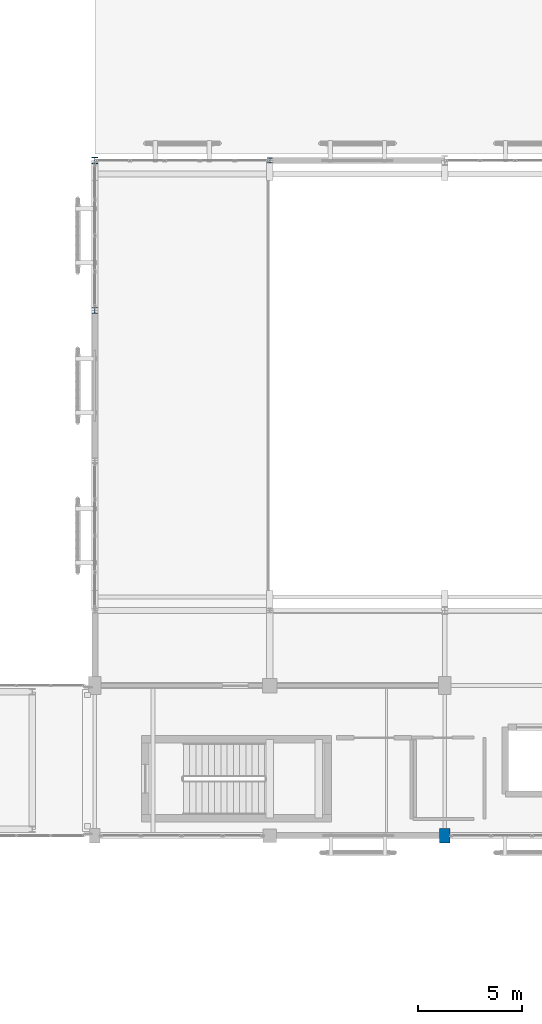
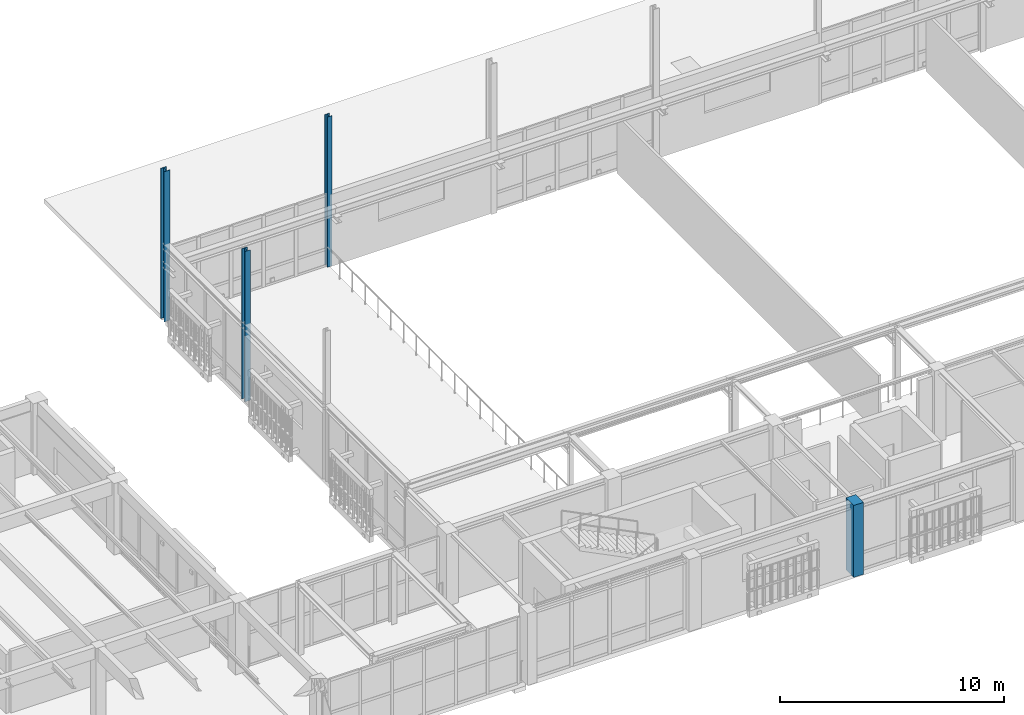
# One storey, part 11 of 170: 4 columns.
"""IFC4 building model written with IfcOpenShell, lengths in metres."""

from ifc_helpers import new_model, si_unit, direction, frame, origin, origin_2d, place, context, subcontext, project, spatial, rectangle, i_section, extrude, material, material_profile, profile_set, type_object, element, save


model = new_model("IFC4")

# Units and contexts
model_context = context("Model", 3, precision=1e-05, world=origin(), true_north=direction((0.0, 1.0)))
body_context = subcontext(model_context, "Body", "Model", "MODEL_VIEW")
ifc_project = project(units=[si_unit("LENGTHUNIT", "METRE"), si_unit("AREAUNIT", "SQUARE_METRE"), si_unit("VOLUMEUNIT", "CUBIC_METRE"), si_unit("PLANEANGLEUNIT", "RADIAN"), si_unit("MASSUNIT", "GRAM", prefix="KILO")], contexts=[model_context])

# Site, building, storey
site_placement = place(None, origin())
site = spatial("IfcSite", under=ifc_project, at=site_placement, CompositionType="ELEMENT")
building_placement = place(site_placement, origin())
building = spatial("IfcBuilding", under=site, at=building_placement, Name="Mazaris Harbour Polytechnic", CompositionType="ELEMENT")
storey_placement = place(building_placement, frame((0.0, 0.0, 5.39990234375)))
storey = spatial("IfcBuildingStorey", under=building, at=storey_placement, Name="L01", CompositionType="ELEMENT", Elevation=5.39990234375)

# Columns
ifc_material_1 = material(Name="Concrete C40/50", Category="concrete")
ifc_material_profile_1 = material_profile(ifc_material_1, rectangle(XDim=0.5, YDim=0.699951171875, at=origin_2d()), Name="RECT500x700")
ifc_profile_set_1 = profile_set([ifc_material_profile_1], Name="Concrete C40/50")
column_type_1 = type_object("IfcColumnType", Name="RC Column 500x700 Exterior", PredefinedType="COLUMN", material=ifc_profile_set_1)
column_1_placement = place(storey_placement, frame((70.800048828125, 75.60009765625, 0.0), z_axis=(0.0, 0.0, 1.0), x_axis=(1.0, 0.0, 0.0)))
element("IfcColumn", 1, at=column_1_placement, inside=storey, type_object=column_type_1, Name="V1 L01 Column 127", PredefinedType="COLUMN", context=body_context, shape_type="SweptSolid", body=[
    extrude(rectangle(XDim=0.5, YDim=0.699951171875, at=origin_2d()), origin(), (0.0, 0.0, 1.0), 3.920166015625),
])
ifc_material_2 = material(Name="Steel S355", Category="steel")
ifc_material_profile_2 = material_profile(ifc_material_2, i_section(OverallWidth=0.239990234375, OverallDepth=0.239990234375, WebThickness=0.010009765625, FlangeThickness=0.01708984375, FilletRadius=0.02099609375, at=origin_2d()), Name="HEB 240")
ifc_profile_set_2 = profile_set([ifc_material_profile_2], Name="Steel S355")
column_type_2 = type_object("IfcColumnType", Name="Steel Column HEB240", PredefinedType="COLUMN", material=ifc_profile_set_2)
column_2_placement = place(storey_placement, frame((62.39990234375, 108.0, 0.0), z_axis=(0.0, 0.0, 1.0), x_axis=(1.0, 0.0, 0.0)))
element("IfcColumn", 2, at=column_2_placement, inside=storey, type_object=column_type_2, Name="V1 L01 Column 126", PredefinedType="COLUMN", context=body_context, shape_type="SweptSolid", body=[
    extrude(i_section(OverallWidth=0.239990234375, OverallDepth=0.239990234375, WebThickness=0.010009765625, FlangeThickness=0.01708984375, FilletRadius=0.02099609375, at=origin_2d()), origin(), (0.0, 0.0, 1.0), 8.18017578125),
])
ifc_material_3 = material(Name="Steel S355", Category="steel")
ifc_material_profile_3 = material_profile(ifc_material_3, i_section(OverallWidth=0.280029296875, OverallDepth=0.280029296875, WebThickness=0.010498046875, FlangeThickness=0.01806640625, FilletRadius=0.02392578125, at=origin_2d()), Name="HEB 280")
ifc_profile_set_3 = profile_set([ifc_material_profile_3], Name="Steel S355")
column_type_3 = type_object("IfcColumnType", Name="Steel Column HEB280 Exterior", PredefinedType="COLUMN", material=ifc_profile_set_3)
column_3_placement = place(storey_placement, frame((54.0, 100.800048828125, 0.0), z_axis=(0.0, 0.0, 1.0), x_axis=(1.0, 0.0, 0.0)))
element("IfcColumn", 3, at=column_3_placement, inside=storey, type_object=column_type_3, Name="V1 L01 Column 121", PredefinedType="COLUMN", context=body_context, shape_type="SweptSolid", body=[
    extrude(i_section(OverallWidth=0.280029296875, OverallDepth=0.280029296875, WebThickness=0.010498046875, FlangeThickness=0.01806640625, FilletRadius=0.02392578125, at=origin_2d()), origin(), (0.0, 0.0, 1.0), 8.18017578125),
])
ifc_material_4 = material(Name="Steel S355", Category="steel")
ifc_material_profile_4 = material_profile(ifc_material_4, i_section(OverallWidth=0.300048828125, OverallDepth=0.320068359375, WebThickness=0.011474609375, FlangeThickness=0.0205078125, FilletRadius=0.027099609375, at=origin_2d()), Name="HEB 320")
ifc_profile_set_4 = profile_set([ifc_material_profile_4], Name="Steel S355")
column_type_4 = type_object("IfcColumnType", Name="Steel Column HEB320", PredefinedType="COLUMN", material=ifc_profile_set_4)
column_4_placement = place(storey_placement, frame((54.0, 108.0, 0.0), z_axis=(0.0, 0.0, 1.0), x_axis=(1.0, 0.0, 0.0)))
element("IfcColumn", 4, at=column_4_placement, inside=storey, type_object=column_type_4, Name="V1 L01 Column 122", PredefinedType="COLUMN", context=body_context, shape_type="SweptSolid", body=[
    extrude(i_section(OverallWidth=0.300048828125, OverallDepth=0.320068359375, WebThickness=0.011474609375, FlangeThickness=0.0205078125, FilletRadius=0.027099609375, at=origin_2d()), origin(), (0.0, 0.0, 1.0), 8.18017578125),
])

save(model, "model.ifc")
